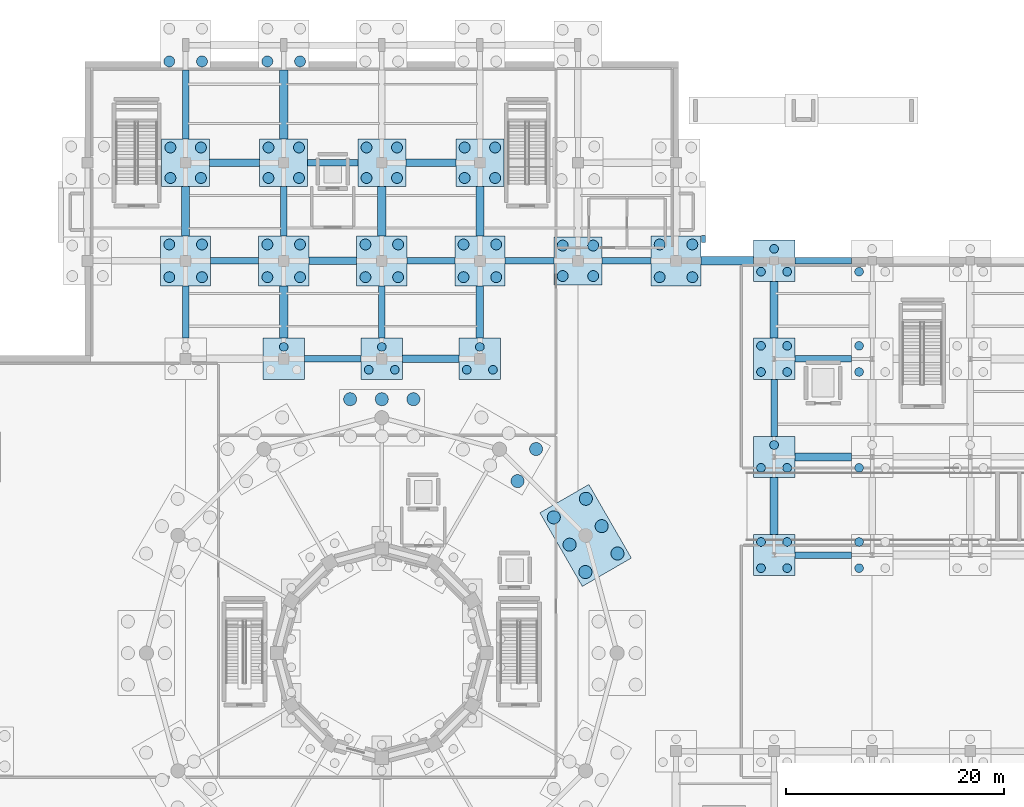
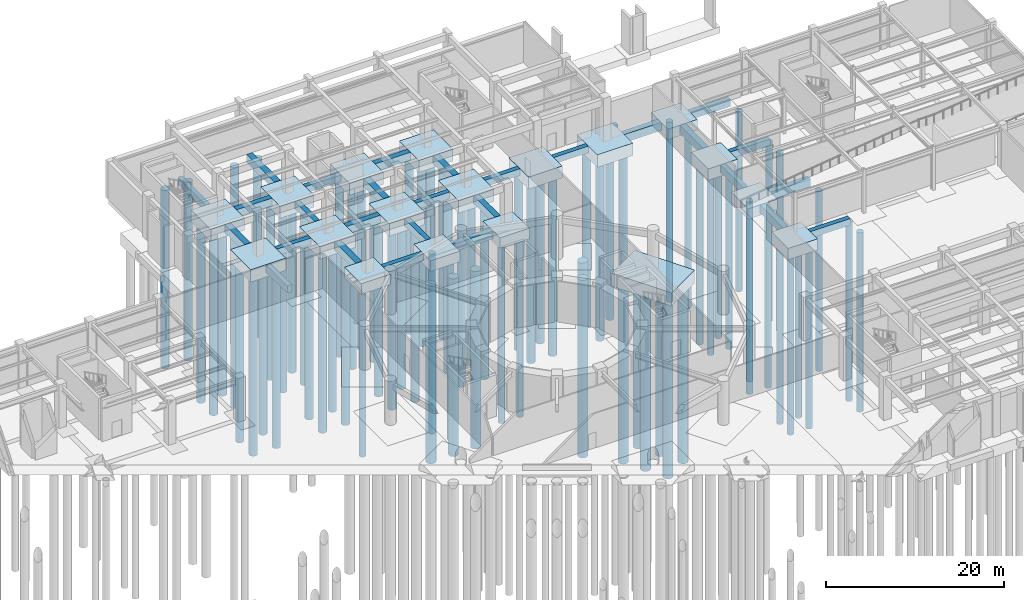
# One storey, part 5 of 36: 82 piles, 47 footings.
"""IFC4 building model written with IfcOpenShell, lengths in metres."""

from ifc_helpers import new_model, si_unit, direction, frame, origin, origin_2d, place, context, subcontext, project, spatial, rectangle, circle, extrude, material, material_profile, profile_set, type_object, element, save


model = new_model("IFC4")

# Units and contexts
model_context = context("Model", 3, precision=1e-05, world=origin(), true_north=direction((0.0, 1.0)))
body_context = subcontext(model_context, "Body", "Model", "MODEL_VIEW")
ifc_project = project(units=[si_unit("LENGTHUNIT", "METRE"), si_unit("AREAUNIT", "SQUARE_METRE"), si_unit("VOLUMEUNIT", "CUBIC_METRE"), si_unit("PLANEANGLEUNIT", "RADIAN"), si_unit("MASSUNIT", "GRAM", prefix="KILO")], contexts=[model_context])

# Site, building, storey
site_placement = place(None, origin())
site = spatial("IfcSite", under=ifc_project, at=site_placement, CompositionType="ELEMENT")
building_placement = place(site_placement, origin())
building = spatial("IfcBuilding", under=site, at=building_placement, Name="Haizhuo Lancet Aquarium", CompositionType="ELEMENT")
storey_placement = place(building_placement, frame((0.0, 0.0, -6.0)))
storey = spatial("IfcBuildingStorey", under=building, at=storey_placement, Name="B1", CompositionType="ELEMENT", Elevation=-6.0)

# Footings
ifc_material = material(Name="Concrete C40/50", Category="concrete")
footing_type_1 = type_object("IfcFootingType", Name="FCAP-PC3A", PredefinedType="PILE_CAP", material=ifc_material)
for number, where, z_axis, x_axis, name in (
    (1, (-9.0, 27.0, -1.4501953125), (0.0, 0.0, 1.0), (1.0, 0.0, 0.0), "Pile cap PC-03 91"),
    (2, (0.0, 27.0, -1.4501953125), (0.0, 0.0, 1.0), (1.0, 0.0, 0.0), "Pile cap PC-03 95"),
    (3, (9.0, 27.0, -1.4501953125), (0.0, 0.0, 1.0), (1.0, 0.0, 0.0), "Pile cap PC-03 99"),
    (4, (36.0, 18.0, -1.4501953125), (0.0, 0.0, 1.0), (1.0, 0.0, 0.0), "Pile cap PC-03 129"),
    (5, (36.0, 36.0, -1.4501953125), (0.0, 0.0, 1.0), (1.0, 0.0, 0.0), "Pile cap PC-03 131"),
):
    element("IfcFooting", number, at=place(storey_placement, frame(where, z_axis=z_axis, x_axis=x_axis)), inside=storey, type_object=footing_type_1, Name=name, PredefinedType="PILE_CAP", context=body_context, shape_type="SweptSolid", body=[
        extrude(rectangle(XDim=3.800048828125, YDim=3.800048828125, at=origin_2d()), origin(), (0.0, 0.0, 1.0), 1.449951171875),
    ])
footing_type_2 = type_object("IfcFootingType", Name="FCAP-PC4A", PredefinedType="PILE_CAP", material=ifc_material)
for number, where, z_axis, x_axis, name in (
    (6, (36.0, 9.0, -1.5498046875), (0.0, 0.0, 1.0), (1.0, 0.0, 0.0), "Pile cap PC-04 128"),
    (7, (36.0, 27.0, -1.5498046875), (0.0, 0.0, 1.0), (1.0, 0.0, 0.0), "Pile cap PC-04 130"),
):
    element("IfcFooting", number, at=place(storey_placement, frame(where, z_axis=z_axis, x_axis=x_axis)), inside=storey, type_object=footing_type_2, Name=name, PredefinedType="PILE_CAP", context=body_context, shape_type="SweptSolid", body=[
        extrude(rectangle(XDim=3.800048828125, YDim=3.800048828125, at=origin_2d()), origin(), (0.0, 0.0, 1.0), 1.550048828125),
    ])
footing_type_3 = type_object("IfcFootingType", Name="FCAP-PC4B", PredefinedType="PILE_CAP", material=ifc_material)
for number, where, z_axis, x_axis, name in (
    (8, (-18.0, 45.0, -1.64990234375), (0.0, 0.0, 1.0), (1.0, 0.0, 0.0), "Pile cap PC-05 89"),
    (9, (-9.0, 45.0, -1.64990234375), (0.0, 0.0, 1.0), (1.0, 0.0, 0.0), "Pile cap PC-05 93"),
    (10, (0.0, 45.0, -1.64990234375), (0.0, 0.0, 1.0), (1.0, 0.0, 0.0), "Pile cap PC-05 97"),
    (11, (9.0, 45.0, -1.64990234375), (0.0, 0.0, 1.0), (1.0, 0.0, 0.0), "Pile cap PC-05 101"),
    (12, (18.0, 36.0, -1.64990234375), (0.0, 0.0, 1.0), (1.0, 0.0, 0.0), "Pile cap PC-05 103"),
):
    element("IfcFooting", number, at=place(storey_placement, frame(where, z_axis=z_axis, x_axis=x_axis)), inside=storey, type_object=footing_type_3, Name=name, PredefinedType="PILE_CAP", context=body_context, shape_type="SweptSolid", body=[
        extrude(rectangle(XDim=4.39990234375, YDim=4.39990234375, at=origin_2d()), origin(), (0.0, 0.0, 1.0), 1.64990234375),
    ])
footing_type_4 = type_object("IfcFootingType", Name="FCAP-PC4C", PredefinedType="PILE_CAP", material=ifc_material)
for number, where, z_axis, x_axis, name in (
    (13, (-18.0, 36.0, -1.7001953125), (0.0, 0.0, 1.0), (1.0, 0.0, 0.0), "Pile cap PC-06 88"),
    (14, (-9.0, 36.0, -1.7001953125), (0.0, 0.0, 1.0), (1.0, 0.0, 0.0), "Pile cap PC-06 92"),
    (15, (0.0, 36.0, -1.7001953125), (0.0, 0.0, 1.0), (1.0, 0.0, 0.0), "Pile cap PC-06 96"),
    (16, (9.0, 36.0, -1.7001953125), (0.0, 0.0, 1.0), (1.0, 0.0, 0.0), "Pile cap PC-06 100"),
    (17, (27.0, 36.0, -1.7001953125), (0.0, 0.0, 1.0), (1.0, 0.0, 0.0), "Pile cap PC-06 106"),
):
    element("IfcFooting", number, at=place(storey_placement, frame(where, z_axis=z_axis, x_axis=x_axis)), inside=storey, type_object=footing_type_4, Name=name, PredefinedType="PILE_CAP", context=body_context, shape_type="SweptSolid", body=[
        extrude(rectangle(XDim=4.60009765625, YDim=4.60009765625, at=origin_2d()), origin(), (0.0, 0.0, 1.0), 1.699951171875),
    ])
footing_type_5 = type_object("IfcFootingType", Name="FCAP-PC6B", PredefinedType="PILE_CAP", material=ifc_material)
footing_1_placement = place(storey_placement, frame((18.7060546875, 10.800048828125, -1.7998046875), z_axis=(0.0, 0.0, 1.0), x_axis=(0.866025403784, 0.5, 0.0)))
element("IfcFooting", 18, at=footing_1_placement, inside=storey, type_object=footing_type_5, Name="Pile cap PC-08 2", PredefinedType="PILE_CAP", context=body_context, shape_type="SweptSolid", body=[
    extrude(rectangle(XDim=5.199951171875, YDim=7.800048828125, at=origin_2d()), origin(), (0.0, 0.0, 1.0), 1.800048828125),
])
footing_type_6 = type_object("IfcFootingType", Name="FPAD-2200", PredefinedType="PAD_FOOTING", material=ifc_material)
footing_2_placement = place(storey_placement, frame((29.510009765625, 38.010009765625, -0.85009765625), z_axis=(0.0, 0.0, 1.0), x_axis=(1.0, 0.0, 0.0)))
element("IfcFooting", 19, at=footing_2_placement, inside=storey, type_object=footing_type_6, material=ifc_material, Name="Entrance apron footing 5.3", PredefinedType="PAD_FOOTING", context=body_context, shape_type="SweptSolid", body=[
    extrude(rectangle(XDim=0.3798828125, YDim=0.6201171875, at=origin_2d()), origin(), (0.0, 0.0, 1.0), 0.85009765625),
])
footing_type_7 = type_object("IfcFootingType", Name="FTB-600x1000", PredefinedType="FOOTING_BEAM", material=ifc_material)
footing_3_placement = place(storey_placement, frame((-18.0, 31.300048828125, -1.0), z_axis=(0.0, 0.0, 1.0), x_axis=(0.0, 1.0, 0.0)))
element("IfcFooting", 20, at=footing_3_placement, inside=storey, type_object=footing_type_7, Name="Foundation tie beam 66", PredefinedType="FOOTING_BEAM", context=body_context, shape_type="SweptSolid", body=[
    extrude(rectangle(XDim=4.800048828125, YDim=0.60009765625, at=origin_2d()), origin(), (0.0, 0.0, 1.0), 1.0),
])
footing_4_placement = place(storey_placement, frame((-18.0, 50.35009765625, -1.0), z_axis=(0.0, 0.0, 1.0), x_axis=(0.0, 1.0, 0.0)))
element("IfcFooting", 21, at=footing_4_placement, inside=storey, type_object=footing_type_7, Name="Foundation tie beam 70", PredefinedType="FOOTING_BEAM", context=body_context, shape_type="SweptSolid", body=[
    extrude(rectangle(XDim=6.300048828125, YDim=0.60009765625, at=origin_2d()), origin(), (0.0, 0.0, 1.0), 1.0),
])
footing_5_placement = place(storey_placement, frame((-9.0, 40.550048828125, -1.0), z_axis=(0.0, 0.0, 1.0), x_axis=(0.0, 1.0, 0.0)))
element("IfcFooting", 22, at=footing_5_placement, inside=storey, type_object=footing_type_7, Name="Foundation tie beam 82", PredefinedType="FOOTING_BEAM", context=body_context, shape_type="SweptSolid", body=[
    extrude(rectangle(XDim=4.5, YDim=0.60009765625, at=origin_2d()), origin(), (0.0, 0.0, 1.0), 1.0),
])
footing_6_placement = place(storey_placement, frame((0.0, 31.300048828125, -1.0), z_axis=(0.0, 0.0, 1.0), x_axis=(0.0, 1.0, 0.0)))
element("IfcFooting", 23, at=footing_6_placement, inside=storey, type_object=footing_type_7, Name="Foundation tie beam 94", PredefinedType="FOOTING_BEAM", context=body_context, shape_type="SweptSolid", body=[
    extrude(rectangle(XDim=4.800048828125, YDim=0.60009765625, at=origin_2d()), origin(), (0.0, 0.0, 1.0), 1.0),
])
for number, where, z_axis, x_axis, name in (
    (24, (36.0, 22.5, -1.0), (0.0, 0.0, 1.0), (0.0, 1.0, 0.0), "Foundation tie beam 138"),
    (25, (40.5, 36.0, -1.0), (0.0, 0.0, 1.0), (1.0, 0.0, 0.0), "Foundation tie beam 142"),
):
    element("IfcFooting", number, at=place(storey_placement, frame(where, z_axis=z_axis, x_axis=x_axis)), inside=storey, type_object=footing_type_7, Name=name, PredefinedType="FOOTING_BEAM", context=body_context, shape_type="SweptSolid", body=[
        extrude(rectangle(XDim=5.199951171875, YDim=0.60009765625, at=origin_2d()), origin(), (0.0, 0.0, 1.0), 1.0),
    ])
footing_type_8 = type_object("IfcFootingType", Name="FTB-600x900", PredefinedType="FOOTING_BEAM", material=ifc_material)
footing_7_placement = place(storey_placement, frame((-13.5, 36.0, -0.89990234375), z_axis=(0.0, 0.0, 1.0), x_axis=(1.0, 0.0, 0.0)))
element("IfcFooting", 26, at=footing_7_placement, inside=storey, type_object=footing_type_8, Name="Foundation tie beam 69", PredefinedType="FOOTING_BEAM", context=body_context, shape_type="SweptSolid", body=[
    extrude(rectangle(XDim=4.39990234375, YDim=0.60009765625, at=origin_2d()), origin(), (0.0, 0.0, 1.0), 0.89990234375),
])
footing_8_placement = place(storey_placement, frame((-4.5, 27.0, -0.89990234375), z_axis=(0.0, 0.0, 1.0), x_axis=(1.0, 0.0, 0.0)))
element("IfcFooting", 27, at=footing_8_placement, inside=storey, type_object=footing_type_8, Name="Foundation tie beam 81", PredefinedType="FOOTING_BEAM", context=body_context, shape_type="SweptSolid", body=[
    extrude(rectangle(XDim=5.199951171875, YDim=0.60009765625, at=origin_2d()), origin(), (0.0, 0.0, 1.0), 0.89990234375),
])
footing_9_placement = place(storey_placement, frame((-4.5, 45.0, -0.89990234375), z_axis=(0.0, 0.0, 1.0), x_axis=(1.0, 0.0, 0.0)))
element("IfcFooting", 28, at=footing_9_placement, inside=storey, type_object=footing_type_8, Name="Foundation tie beam 85", PredefinedType="FOOTING_BEAM", context=body_context, shape_type="SweptSolid", body=[
    extrude(rectangle(XDim=4.60009765625, YDim=0.60009765625, at=origin_2d()), origin(), (0.0, 0.0, 1.0), 0.89990234375),
])
footing_10_placement = place(storey_placement, frame((4.5, 36.0, -0.89990234375), z_axis=(0.0, 0.0, 1.0), x_axis=(1.0, 0.0, 0.0)))
element("IfcFooting", 29, at=footing_10_placement, inside=storey, type_object=footing_type_8, Name="Foundation tie beam 97", PredefinedType="FOOTING_BEAM", context=body_context, shape_type="SweptSolid", body=[
    extrude(rectangle(XDim=4.39990234375, YDim=0.60009765625, at=origin_2d()), origin(), (0.0, 0.0, 1.0), 0.89990234375),
])
for number, where, z_axis, x_axis, name in (
    (30, (13.550048828125, 36.0, -0.89990234375), (0.0, 0.0, 1.0), (1.0, 0.0, 0.0), "Foundation tie beam 109"),
    (31, (22.449951171875, 36.0, -0.89990234375), (0.0, 0.0, 1.0), (1.0, 0.0, 0.0), "Foundation tie beam 117"),
):
    element("IfcFooting", number, at=place(storey_placement, frame(where, z_axis=z_axis, x_axis=x_axis)), inside=storey, type_object=footing_type_8, Name=name, PredefinedType="FOOTING_BEAM", context=body_context, shape_type="SweptSolid", body=[
        extrude(rectangle(XDim=4.5, YDim=0.60009765625, at=origin_2d()), origin(), (0.0, 0.0, 1.0), 0.89990234375),
    ])
for number, where, z_axis, x_axis, name in (
    (32, (40.5, 9.0, -0.89990234375), (0.0, 0.0, 1.0), (1.0, 0.0, 0.0), "Foundation tie beam 137"),
    (33, (40.5, 27.0, -0.89990234375), (0.0, 0.0, 1.0), (1.0, 0.0, 0.0), "Foundation tie beam 141"),
):
    element("IfcFooting", number, at=place(storey_placement, frame(where, z_axis=z_axis, x_axis=x_axis)), inside=storey, type_object=footing_type_8, Name=name, PredefinedType="FOOTING_BEAM", context=body_context, shape_type="SweptSolid", body=[
        extrude(rectangle(XDim=5.199951171875, YDim=0.60009765625, at=origin_2d()), origin(), (0.0, 0.0, 1.0), 0.89990234375),
    ])
footing_type_9 = type_object("IfcFootingType", Name="FTB-700x1050", PredefinedType="FOOTING_BEAM", material=ifc_material)
footing_11_placement = place(storey_placement, frame((-13.5, 45.0, -1.0498046875), z_axis=(0.0, 0.0, 1.0), x_axis=(1.0, 0.0, 0.0)))
element("IfcFooting", 34, at=footing_11_placement, inside=storey, type_object=footing_type_9, Name="Foundation tie beam 71", PredefinedType="FOOTING_BEAM", context=body_context, shape_type="SweptSolid", body=[
    extrude(rectangle(XDim=4.60009765625, YDim=0.699951171875, at=origin_2d()), origin(), (0.0, 0.0, 1.0), 1.050048828125),
])
footing_12_placement = place(storey_placement, frame((-4.5, 36.0, -1.0498046875), z_axis=(0.0, 0.0, 1.0), x_axis=(1.0, 0.0, 0.0)))
element("IfcFooting", 35, at=footing_12_placement, inside=storey, type_object=footing_type_9, Name="Foundation tie beam 83", PredefinedType="FOOTING_BEAM", context=body_context, shape_type="SweptSolid", body=[
    extrude(rectangle(XDim=4.39990234375, YDim=0.699951171875, at=origin_2d()), origin(), (0.0, 0.0, 1.0), 1.050048828125),
])
footing_13_placement = place(storey_placement, frame((4.5, 27.0, -1.0498046875), z_axis=(0.0, 0.0, 1.0), x_axis=(1.0, 0.0, 0.0)))
element("IfcFooting", 36, at=footing_13_placement, inside=storey, type_object=footing_type_9, Name="Foundation tie beam 95", PredefinedType="FOOTING_BEAM", context=body_context, shape_type="SweptSolid", body=[
    extrude(rectangle(XDim=5.199951171875, YDim=0.699951171875, at=origin_2d()), origin(), (0.0, 0.0, 1.0), 1.050048828125),
])
footing_14_placement = place(storey_placement, frame((4.5, 45.0, -1.0498046875), z_axis=(0.0, 0.0, 1.0), x_axis=(1.0, 0.0, 0.0)))
element("IfcFooting", 37, at=footing_14_placement, inside=storey, type_object=footing_type_9, Name="Foundation tie beam 99", PredefinedType="FOOTING_BEAM", context=body_context, shape_type="SweptSolid", body=[
    extrude(rectangle(XDim=4.60009765625, YDim=0.699951171875, at=origin_2d()), origin(), (0.0, 0.0, 1.0), 1.050048828125),
])
footing_15_placement = place(storey_placement, frame((9.0, 31.300048828125, -1.0498046875), z_axis=(0.0, 0.0, 1.0), x_axis=(0.0, 1.0, 0.0)))
element("IfcFooting", 38, at=footing_15_placement, inside=storey, type_object=footing_type_9, Name="Foundation tie beam 107", PredefinedType="FOOTING_BEAM", context=body_context, shape_type="SweptSolid", body=[
    extrude(rectangle(XDim=4.800048828125, YDim=0.699951171875, at=origin_2d()), origin(), (0.0, 0.0, 1.0), 1.050048828125),
])
footing_16_placement = place(storey_placement, frame((40.5, 18.0, -1.0498046875), z_axis=(0.0, 0.0, 1.0), x_axis=(1.0, 0.0, 0.0)))
element("IfcFooting", 39, at=footing_16_placement, inside=storey, type_object=footing_type_9, Name="Foundation tie beam 139", PredefinedType="FOOTING_BEAM", context=body_context, shape_type="SweptSolid", body=[
    extrude(rectangle(XDim=5.199951171875, YDim=0.699951171875, at=origin_2d()), origin(), (0.0, 0.0, 1.0), 1.050048828125),
])
footing_type_10 = type_object("IfcFootingType", Name="FTB-750x1100", PredefinedType="FOOTING_BEAM", material=ifc_material)
footing_17_placement = place(storey_placement, frame((-18.0, 40.550048828125, -1.10009765625), z_axis=(0.0, 0.0, 1.0), x_axis=(0.0, 1.0, 0.0)))
element("IfcFooting", 40, at=footing_17_placement, inside=storey, type_object=footing_type_10, Name="Foundation tie beam 68", PredefinedType="FOOTING_BEAM", context=body_context, shape_type="SweptSolid", body=[
    extrude(rectangle(XDim=4.5, YDim=0.75, at=origin_2d()), origin(), (0.0, 0.0, 1.0), 1.10009765625),
])
footing_18_placement = place(storey_placement, frame((-9.0, 31.300048828125, -1.10009765625), z_axis=(0.0, 0.0, 1.0), x_axis=(0.0, 1.0, 0.0)))
element("IfcFooting", 41, at=footing_18_placement, inside=storey, type_object=footing_type_10, Name="Foundation tie beam 80", PredefinedType="FOOTING_BEAM", context=body_context, shape_type="SweptSolid", body=[
    extrude(rectangle(XDim=4.800048828125, YDim=0.75, at=origin_2d()), origin(), (0.0, 0.0, 1.0), 1.10009765625),
])
footing_19_placement = place(storey_placement, frame((-9.0, 50.35009765625, -1.10009765625), z_axis=(0.0, 0.0, 1.0), x_axis=(0.0, 1.0, 0.0)))
element("IfcFooting", 42, at=footing_19_placement, inside=storey, type_object=footing_type_10, Name="Foundation tie beam 84", PredefinedType="FOOTING_BEAM", context=body_context, shape_type="SweptSolid", body=[
    extrude(rectangle(XDim=6.300048828125, YDim=0.75, at=origin_2d()), origin(), (0.0, 0.0, 1.0), 1.10009765625),
])
for number, where, z_axis, x_axis, name in (
    (43, (0.0, 40.550048828125, -1.10009765625), (0.0, 0.0, 1.0), (0.0, 1.0, 0.0), "Foundation tie beam 96"),
    (44, (9.0, 40.550048828125, -1.10009765625), (0.0, 0.0, 1.0), (0.0, 1.0, 0.0), "Foundation tie beam 108"),
):
    element("IfcFooting", number, at=place(storey_placement, frame(where, z_axis=z_axis, x_axis=x_axis)), inside=storey, type_object=footing_type_10, Name=name, PredefinedType="FOOTING_BEAM", context=body_context, shape_type="SweptSolid", body=[
        extrude(rectangle(XDim=4.5, YDim=0.75, at=origin_2d()), origin(), (0.0, 0.0, 1.0), 1.10009765625),
    ])
footing_20_placement = place(storey_placement, frame((31.699951171875, 36.0, -1.10009765625), z_axis=(0.0, 0.0, 1.0), x_axis=(1.0, 0.0, 0.0)))
element("IfcFooting", 45, at=footing_20_placement, inside=storey, type_object=footing_type_10, Name="Foundation tie beam 128", PredefinedType="FOOTING_BEAM", context=body_context, shape_type="SweptSolid", body=[
    extrude(rectangle(XDim=4.800048828125, YDim=0.75, at=origin_2d()), origin(), (0.0, 0.0, 1.0), 1.10009765625),
])
for number, where, z_axis, x_axis, name in (
    (46, (36.0, 13.5, -1.10009765625), (0.0, 0.0, 1.0), (0.0, 1.0, 0.0), "Foundation tie beam 136"),
    (47, (36.0, 31.5, -1.10009765625), (0.0, 0.0, 1.0), (0.0, 1.0, 0.0), "Foundation tie beam 140"),
):
    element("IfcFooting", number, at=place(storey_placement, frame(where, z_axis=z_axis, x_axis=x_axis)), inside=storey, type_object=footing_type_10, Name=name, PredefinedType="FOOTING_BEAM", context=body_context, shape_type="SweptSolid", body=[
        extrude(rectangle(XDim=5.199951171875, YDim=0.75, at=origin_2d()), origin(), (0.0, 0.0, 1.0), 1.10009765625),
    ])

# Piles
ifc_material_profile_1 = material_profile(ifc_material, circle(Radius=0.5, at=origin_2d()), Name="PILE-1000")
ifc_profile_set_1 = profile_set([ifc_material_profile_1], Name="Concrete C40/50")
pile_type_1 = type_object("IfcPileType", Name="PILE-BORED-1000", PredefinedType="BORED", material=ifc_profile_set_1)
for number, where, z_axis, x_axis, name in (
    (48, (-19.5, 34.5, -1.550048828125), (0.0, 0.0, -1.0), (1.0, 0.0, 0.0), "Bored pile P-02 88.1"),
    (49, (-16.5, 34.5, -1.550048828125), (0.0, 0.0, -1.0), (1.0, 0.0, 0.0), "Bored pile P-02 88.2"),
    (50, (-19.5, 37.5, -1.550048828125), (0.0, 0.0, -1.0), (1.0, 0.0, 0.0), "Bored pile P-02 88.3"),
    (51, (-16.5, 37.5, -1.550048828125), (0.0, 0.0, -1.0), (1.0, 0.0, 0.0), "Bored pile P-02 88.4"),
):
    element("IfcPile", number, at=place(storey_placement, frame(where, z_axis=z_axis, x_axis=x_axis)), inside=storey, type_object=pile_type_1, Name=name, PredefinedType="BORED", context=body_context, shape_type="SweptSolid", body=[
        extrude(circle(Radius=0.5, at=origin_2d()), origin(), (0.0, 0.0, 1.0), 24.449951171875),
    ])
for number, where, z_axis, x_axis, name in (
    (52, (-19.39990234375, 43.60009765625, -1.5), (0.0, 0.0, -1.0), (1.0, 0.0, 0.0), "Bored pile P-02 89.1"),
    (53, (-16.60009765625, 43.60009765625, -1.5), (0.0, 0.0, -1.0), (1.0, 0.0, 0.0), "Bored pile P-02 89.2"),
    (54, (-19.39990234375, 46.39990234375, -1.5), (0.0, 0.0, -1.0), (1.0, 0.0, 0.0), "Bored pile P-02 89.3"),
    (55, (-16.60009765625, 46.39990234375, -1.5), (0.0, 0.0, -1.0), (1.0, 0.0, 0.0), "Bored pile P-02 89.4"),
):
    element("IfcPile", number, at=place(storey_placement, frame(where, z_axis=z_axis, x_axis=x_axis)), inside=storey, type_object=pile_type_1, Name=name, PredefinedType="BORED", context=body_context, shape_type="SweptSolid", body=[
        extrude(circle(Radius=0.5, at=origin_2d()), origin(), (0.0, 0.0, 1.0), 24.5),
    ])
for number, where, z_axis, x_axis, name in (
    (56, (-19.5, 54.300048828125, -1.550048828125), (0.0, 0.0, -1.0), (1.0, 0.0, 0.0), "Bored pile P-02 90.1"),
    (57, (-16.5, 54.300048828125, -1.550048828125), (0.0, 0.0, -1.0), (1.0, 0.0, 0.0), "Bored pile P-02 90.2"),
    (58, (-10.5, 34.5, -1.550048828125), (0.0, 0.0, -1.0), (1.0, 0.0, 0.0), "Bored pile P-02 92.1"),
    (59, (-7.5, 34.5, -1.550048828125), (0.0, 0.0, -1.0), (1.0, 0.0, 0.0), "Bored pile P-02 92.2"),
    (60, (-10.5, 37.5, -1.550048828125), (0.0, 0.0, -1.0), (1.0, 0.0, 0.0), "Bored pile P-02 92.3"),
    (61, (-7.5, 37.5, -1.550048828125), (0.0, 0.0, -1.0), (1.0, 0.0, 0.0), "Bored pile P-02 92.4"),
):
    element("IfcPile", number, at=place(storey_placement, frame(where, z_axis=z_axis, x_axis=x_axis)), inside=storey, type_object=pile_type_1, Name=name, PredefinedType="BORED", context=body_context, shape_type="SweptSolid", body=[
        extrude(circle(Radius=0.5, at=origin_2d()), origin(), (0.0, 0.0, 1.0), 24.449951171875),
    ])
for number, where, z_axis, x_axis, name in (
    (62, (-10.39990234375, 43.60009765625, -1.5), (0.0, 0.0, -1.0), (1.0, 0.0, 0.0), "Bored pile P-02 93.1"),
    (63, (-7.60009765625, 43.60009765625, -1.5), (0.0, 0.0, -1.0), (1.0, 0.0, 0.0), "Bored pile P-02 93.2"),
    (64, (-10.39990234375, 46.39990234375, -1.5), (0.0, 0.0, -1.0), (1.0, 0.0, 0.0), "Bored pile P-02 93.3"),
    (65, (-7.60009765625, 46.39990234375, -1.5), (0.0, 0.0, -1.0), (1.0, 0.0, 0.0), "Bored pile P-02 93.4"),
):
    element("IfcPile", number, at=place(storey_placement, frame(where, z_axis=z_axis, x_axis=x_axis)), inside=storey, type_object=pile_type_1, Name=name, PredefinedType="BORED", context=body_context, shape_type="SweptSolid", body=[
        extrude(circle(Radius=0.5, at=origin_2d()), origin(), (0.0, 0.0, 1.0), 24.5),
    ])
for number, where, z_axis, x_axis, name in (
    (66, (-10.5, 54.300048828125, -1.550048828125), (0.0, 0.0, -1.0), (1.0, 0.0, 0.0), "Bored pile P-02 94.1"),
    (67, (-7.5, 54.300048828125, -1.550048828125), (0.0, 0.0, -1.0), (1.0, 0.0, 0.0), "Bored pile P-02 94.2"),
    (68, (-1.5, 34.5, -1.550048828125), (0.0, 0.0, -1.0), (1.0, 0.0, 0.0), "Bored pile P-02 96.1"),
    (69, (1.5, 34.5, -1.550048828125), (0.0, 0.0, -1.0), (1.0, 0.0, 0.0), "Bored pile P-02 96.2"),
    (70, (-1.5, 37.5, -1.550048828125), (0.0, 0.0, -1.0), (1.0, 0.0, 0.0), "Bored pile P-02 96.3"),
    (71, (1.5, 37.5, -1.550048828125), (0.0, 0.0, -1.0), (1.0, 0.0, 0.0), "Bored pile P-02 96.4"),
):
    element("IfcPile", number, at=place(storey_placement, frame(where, z_axis=z_axis, x_axis=x_axis)), inside=storey, type_object=pile_type_1, Name=name, PredefinedType="BORED", context=body_context, shape_type="SweptSolid", body=[
        extrude(circle(Radius=0.5, at=origin_2d()), origin(), (0.0, 0.0, 1.0), 24.449951171875),
    ])
for number, where, z_axis, x_axis, name in (
    (72, (-1.39990234375, 43.60009765625, -1.5), (0.0, 0.0, -1.0), (1.0, 0.0, 0.0), "Bored pile P-02 97.1"),
    (73, (1.39990234375, 43.60009765625, -1.5), (0.0, 0.0, -1.0), (1.0, 0.0, 0.0), "Bored pile P-02 97.2"),
    (74, (-1.39990234375, 46.39990234375, -1.5), (0.0, 0.0, -1.0), (1.0, 0.0, 0.0), "Bored pile P-02 97.3"),
    (75, (1.39990234375, 46.39990234375, -1.5), (0.0, 0.0, -1.0), (1.0, 0.0, 0.0), "Bored pile P-02 97.4"),
):
    element("IfcPile", number, at=place(storey_placement, frame(where, z_axis=z_axis, x_axis=x_axis)), inside=storey, type_object=pile_type_1, Name=name, PredefinedType="BORED", context=body_context, shape_type="SweptSolid", body=[
        extrude(circle(Radius=0.5, at=origin_2d()), origin(), (0.0, 0.0, 1.0), 24.5),
    ])
for number, where, z_axis, x_axis, name in (
    (76, (7.5, 34.5, -1.550048828125), (0.0, 0.0, -1.0), (1.0, 0.0, 0.0), "Bored pile P-02 100.1"),
    (77, (10.5, 34.5, -1.550048828125), (0.0, 0.0, -1.0), (1.0, 0.0, 0.0), "Bored pile P-02 100.2"),
    (78, (7.5, 37.5, -1.550048828125), (0.0, 0.0, -1.0), (1.0, 0.0, 0.0), "Bored pile P-02 100.3"),
    (79, (10.5, 37.5, -1.550048828125), (0.0, 0.0, -1.0), (1.0, 0.0, 0.0), "Bored pile P-02 100.4"),
):
    element("IfcPile", number, at=place(storey_placement, frame(where, z_axis=z_axis, x_axis=x_axis)), inside=storey, type_object=pile_type_1, Name=name, PredefinedType="BORED", context=body_context, shape_type="SweptSolid", body=[
        extrude(circle(Radius=0.5, at=origin_2d()), origin(), (0.0, 0.0, 1.0), 24.449951171875),
    ])
for number, where, z_axis, x_axis, name in (
    (80, (7.60009765625, 43.60009765625, -1.5), (0.0, 0.0, -1.0), (1.0, 0.0, 0.0), "Bored pile P-02 101.1"),
    (81, (10.39990234375, 43.60009765625, -1.5), (0.0, 0.0, -1.0), (1.0, 0.0, 0.0), "Bored pile P-02 101.2"),
    (82, (7.60009765625, 46.39990234375, -1.5), (0.0, 0.0, -1.0), (1.0, 0.0, 0.0), "Bored pile P-02 101.3"),
    (83, (10.39990234375, 46.39990234375, -1.5), (0.0, 0.0, -1.0), (1.0, 0.0, 0.0), "Bored pile P-02 101.4"),
    (84, (16.60009765625, 34.60009765625, -1.5), (0.0, 0.0, -1.0), (1.0, 0.0, 0.0), "Bored pile P-02 103.1"),
    (85, (19.39990234375, 34.60009765625, -1.5), (0.0, 0.0, -1.0), (1.0, 0.0, 0.0), "Bored pile P-02 103.2"),
    (86, (16.60009765625, 37.39990234375, -1.5), (0.0, 0.0, -1.0), (1.0, 0.0, 0.0), "Bored pile P-02 103.3"),
    (87, (19.39990234375, 37.39990234375, -1.5), (0.0, 0.0, -1.0), (1.0, 0.0, 0.0), "Bored pile P-02 103.4"),
):
    element("IfcPile", number, at=place(storey_placement, frame(where, z_axis=z_axis, x_axis=x_axis)), inside=storey, type_object=pile_type_1, Name=name, PredefinedType="BORED", context=body_context, shape_type="SweptSolid", body=[
        extrude(circle(Radius=0.5, at=origin_2d()), origin(), (0.0, 0.0, 1.0), 24.5),
    ])
for number, where, z_axis, x_axis, name in (
    (88, (25.5, 34.5, -1.550048828125), (0.0, 0.0, -1.0), (1.0, 0.0, 0.0), "Bored pile P-02 106.1"),
    (89, (28.5, 34.5, -1.550048828125), (0.0, 0.0, -1.0), (1.0, 0.0, 0.0), "Bored pile P-02 106.2"),
    (90, (25.5, 37.5, -1.550048828125), (0.0, 0.0, -1.0), (1.0, 0.0, 0.0), "Bored pile P-02 106.3"),
    (91, (28.5, 37.5, -1.550048828125), (0.0, 0.0, -1.0), (1.0, 0.0, 0.0), "Bored pile P-02 106.4"),
):
    element("IfcPile", number, at=place(storey_placement, frame(where, z_axis=z_axis, x_axis=x_axis)), inside=storey, type_object=pile_type_1, Name=name, PredefinedType="BORED", context=body_context, shape_type="SweptSolid", body=[
        extrude(circle(Radius=0.5, at=origin_2d()), origin(), (0.0, 0.0, 1.0), 24.449951171875),
    ])
ifc_material_profile_2 = material_profile(ifc_material, circle(Radius=0.60009765625, at=origin_2d()), Name="PILE-1200")
ifc_profile_set_2 = profile_set([ifc_material_profile_2], Name="Concrete C40/50")
pile_type_2 = type_object("IfcPileType", Name="PILE-BORED-1200", PredefinedType="BORED", material=ifc_profile_set_2)
for number, where, z_axis, x_axis, name in (
    (92, (18.68408203125, 7.43896484375, -1.64990234375), (0.0, 0.0, -1.0), (1.0, 0.0, 0.0), "Bored pile P-03 2.1"),
    (93, (21.6279296875, 9.138916015625, -1.64990234375), (0.0, 0.0, -1.0), (1.0, 0.0, 0.0), "Bored pile P-03 2.2"),
    (94, (17.23388671875, 9.949951171875, -1.64990234375), (0.0, 0.0, -1.0), (1.0, 0.0, 0.0), "Bored pile P-03 2.3"),
    (95, (20.177978515625, 11.64990234375, -1.64990234375), (0.0, 0.0, -1.0), (1.0, 0.0, 0.0), "Bored pile P-03 2.4"),
    (96, (15.783935546875, 12.4609375, -1.64990234375), (0.0, 0.0, -1.0), (1.0, 0.0, 0.0), "Bored pile P-03 2.5"),
    (97, (18.72802734375, 14.160888671875, -1.64990234375), (0.0, 0.0, -1.0), (1.0, 0.0, 0.0), "Bored pile P-03 2.6"),
    (98, (12.4609375, 15.783935546875, -1.64990234375), (0.0, 0.0, -1.0), (1.0, 0.0, 0.0), "Bored pile P-03 3.1"),
    (99, (14.160888671875, 18.72802734375, -1.64990234375), (0.0, 0.0, -1.0), (1.0, 0.0, 0.0), "Bored pile P-03 3.2"),
    (100, (2.89990234375, 23.300048828125, -1.64990234375), (0.0, 0.0, -1.0), (1.0, 0.0, 0.0), "Bored pile P-03 4.2"),
    (101, (0.0, 23.300048828125, -1.64990234375), (0.0, 0.0, -1.0), (1.0, 0.0, 0.0), "Bored pile P-03 4.4"),
    (102, (-2.89990234375, 23.300048828125, -1.64990234375), (0.0, 0.0, -1.0), (1.0, 0.0, 0.0), "Bored pile P-03 4.6"),
):
    element("IfcPile", number, at=place(storey_placement, frame(where, z_axis=z_axis, x_axis=x_axis)), inside=storey, type_object=pile_type_2, Name=name, PredefinedType="BORED", context=body_context, shape_type="SweptSolid", body=[
        extrude(circle(Radius=0.60009765625, at=origin_2d()), origin(), (0.0, 0.0, 1.0), 24.35009765625),
    ])
ifc_material_profile_3 = material_profile(ifc_material, circle(Radius=0.39990234375, at=origin_2d()), Name="PILE-800")
ifc_profile_set_3 = profile_set([ifc_material_profile_3], Name="Concrete C40/50")
pile_type_3 = type_object("IfcPileType", Name="PILE-BORED-800", PredefinedType="BORED", material=ifc_profile_set_3)
for number, where, z_axis, x_axis, name in (
    (103, (-9.0, 28.10009765625, -1.300048828125), (0.0, 0.0, -1.0), (1.0, 0.0, 0.0), "Bored pile P-01 91.3"),
    (104, (-1.199951171875, 26.0, -1.300048828125), (0.0, 0.0, -1.0), (1.0, 0.0, 0.0), "Bored pile P-01 95.1"),
    (105, (1.199951171875, 26.0, -1.300048828125), (0.0, 0.0, -1.0), (1.0, 0.0, 0.0), "Bored pile P-01 95.2"),
    (106, (0.0, 28.10009765625, -1.300048828125), (0.0, 0.0, -1.0), (1.0, 0.0, 0.0), "Bored pile P-01 95.3"),
    (107, (7.800048828125, 26.0, -1.300048828125), (0.0, 0.0, -1.0), (1.0, 0.0, 0.0), "Bored pile P-01 99.1"),
    (108, (10.199951171875, 26.0, -1.300048828125), (0.0, 0.0, -1.0), (1.0, 0.0, 0.0), "Bored pile P-01 99.2"),
    (109, (9.0, 28.10009765625, -1.300048828125), (0.0, 0.0, -1.0), (1.0, 0.0, 0.0), "Bored pile P-01 99.3"),
):
    element("IfcPile", number, at=place(storey_placement, frame(where, z_axis=z_axis, x_axis=x_axis)), inside=storey, type_object=pile_type_3, Name=name, PredefinedType="BORED", context=body_context, shape_type="SweptSolid", body=[
        extrude(circle(Radius=0.39990234375, at=origin_2d()), origin(), (0.0, 0.0, 1.0), 24.699951171875),
    ])
for number, where, z_axis, x_axis, name in (
    (110, (34.800048828125, 7.800048828125, -1.39990234375), (0.0, 0.0, -1.0), (1.0, 0.0, 0.0), "Bored pile P-01 128.1"),
    (111, (37.199951171875, 7.800048828125, -1.39990234375), (0.0, 0.0, -1.0), (1.0, 0.0, 0.0), "Bored pile P-01 128.2"),
    (112, (34.800048828125, 10.199951171875, -1.39990234375), (0.0, 0.0, -1.0), (1.0, 0.0, 0.0), "Bored pile P-01 128.3"),
    (113, (37.199951171875, 10.199951171875, -1.39990234375), (0.0, 0.0, -1.0), (1.0, 0.0, 0.0), "Bored pile P-01 128.4"),
):
    element("IfcPile", number, at=place(storey_placement, frame(where, z_axis=z_axis, x_axis=x_axis)), inside=storey, type_object=pile_type_3, Name=name, PredefinedType="BORED", context=body_context, shape_type="SweptSolid", body=[
        extrude(circle(Radius=0.39990234375, at=origin_2d()), origin(), (0.0, 0.0, 1.0), 24.60009765625),
    ])
for number, where, z_axis, x_axis, name in (
    (114, (34.800048828125, 17.0, -1.300048828125), (0.0, 0.0, -1.0), (1.0, 0.0, 0.0), "Bored pile P-01 129.1"),
    (115, (37.199951171875, 17.0, -1.300048828125), (0.0, 0.0, -1.0), (1.0, 0.0, 0.0), "Bored pile P-01 129.2"),
    (116, (36.0, 19.10009765625, -1.300048828125), (0.0, 0.0, -1.0), (1.0, 0.0, 0.0), "Bored pile P-01 129.3"),
):
    element("IfcPile", number, at=place(storey_placement, frame(where, z_axis=z_axis, x_axis=x_axis)), inside=storey, type_object=pile_type_3, Name=name, PredefinedType="BORED", context=body_context, shape_type="SweptSolid", body=[
        extrude(circle(Radius=0.39990234375, at=origin_2d()), origin(), (0.0, 0.0, 1.0), 24.699951171875),
    ])
for number, where, z_axis, x_axis, name in (
    (117, (34.800048828125, 25.800048828125, -1.39990234375), (0.0, 0.0, -1.0), (1.0, 0.0, 0.0), "Bored pile P-01 130.1"),
    (118, (37.199951171875, 25.800048828125, -1.39990234375), (0.0, 0.0, -1.0), (1.0, 0.0, 0.0), "Bored pile P-01 130.2"),
    (119, (34.800048828125, 28.199951171875, -1.39990234375), (0.0, 0.0, -1.0), (1.0, 0.0, 0.0), "Bored pile P-01 130.3"),
    (120, (37.199951171875, 28.199951171875, -1.39990234375), (0.0, 0.0, -1.0), (1.0, 0.0, 0.0), "Bored pile P-01 130.4"),
):
    element("IfcPile", number, at=place(storey_placement, frame(where, z_axis=z_axis, x_axis=x_axis)), inside=storey, type_object=pile_type_3, Name=name, PredefinedType="BORED", context=body_context, shape_type="SweptSolid", body=[
        extrude(circle(Radius=0.39990234375, at=origin_2d()), origin(), (0.0, 0.0, 1.0), 24.60009765625),
    ])
for number, where, z_axis, x_axis, name in (
    (121, (34.800048828125, 35.0, -1.300048828125), (0.0, 0.0, -1.0), (1.0, 0.0, 0.0), "Bored pile P-01 131.1"),
    (122, (37.199951171875, 35.0, -1.300048828125), (0.0, 0.0, -1.0), (1.0, 0.0, 0.0), "Bored pile P-01 131.2"),
    (123, (36.0, 37.10009765625, -1.300048828125), (0.0, 0.0, -1.0), (1.0, 0.0, 0.0), "Bored pile P-01 131.3"),
):
    element("IfcPile", number, at=place(storey_placement, frame(where, z_axis=z_axis, x_axis=x_axis)), inside=storey, type_object=pile_type_3, Name=name, PredefinedType="BORED", context=body_context, shape_type="SweptSolid", body=[
        extrude(circle(Radius=0.39990234375, at=origin_2d()), origin(), (0.0, 0.0, 1.0), 24.699951171875),
    ])
for number, where, z_axis, x_axis, name in (
    (124, (43.800048828125, 7.800048828125, -1.39990234375), (0.0, 0.0, -1.0), (1.0, 0.0, 0.0), "Bored pile P-01 132.1"),
    (125, (43.800048828125, 10.199951171875, -1.39990234375), (0.0, 0.0, -1.0), (1.0, 0.0, 0.0), "Bored pile P-01 132.3"),
):
    element("IfcPile", number, at=place(storey_placement, frame(where, z_axis=z_axis, x_axis=x_axis)), inside=storey, type_object=pile_type_3, Name=name, PredefinedType="BORED", context=body_context, shape_type="SweptSolid", body=[
        extrude(circle(Radius=0.39990234375, at=origin_2d()), origin(), (0.0, 0.0, 1.0), 24.60009765625),
    ])
pile_1_placement = place(storey_placement, frame((43.800048828125, 17.0, -1.300048828125), z_axis=(0.0, 0.0, -1.0), x_axis=(1.0, 0.0, 0.0)))
element("IfcPile", 126, at=pile_1_placement, inside=storey, type_object=pile_type_3, Name="Bored pile P-01 133.1", PredefinedType="BORED", context=body_context, shape_type="SweptSolid", body=[
    extrude(circle(Radius=0.39990234375, at=origin_2d()), origin(), (0.0, 0.0, 1.0), 24.699951171875),
])
for number, where, z_axis, x_axis, name in (
    (127, (43.800048828125, 25.800048828125, -1.39990234375), (0.0, 0.0, -1.0), (1.0, 0.0, 0.0), "Bored pile P-01 134.1"),
    (128, (43.800048828125, 28.199951171875, -1.39990234375), (0.0, 0.0, -1.0), (1.0, 0.0, 0.0), "Bored pile P-01 134.3"),
):
    element("IfcPile", number, at=place(storey_placement, frame(where, z_axis=z_axis, x_axis=x_axis)), inside=storey, type_object=pile_type_3, Name=name, PredefinedType="BORED", context=body_context, shape_type="SweptSolid", body=[
        extrude(circle(Radius=0.39990234375, at=origin_2d()), origin(), (0.0, 0.0, 1.0), 24.60009765625),
    ])
pile_2_placement = place(storey_placement, frame((43.800048828125, 35.0, -1.300048828125), z_axis=(0.0, 0.0, -1.0), x_axis=(1.0, 0.0, 0.0)))
element("IfcPile", 129, at=pile_2_placement, inside=storey, type_object=pile_type_3, Name="Bored pile P-01 135.1", PredefinedType="BORED", context=body_context, shape_type="SweptSolid", body=[
    extrude(circle(Radius=0.39990234375, at=origin_2d()), origin(), (0.0, 0.0, 1.0), 24.699951171875),
])

save(model, "model.ifc")
